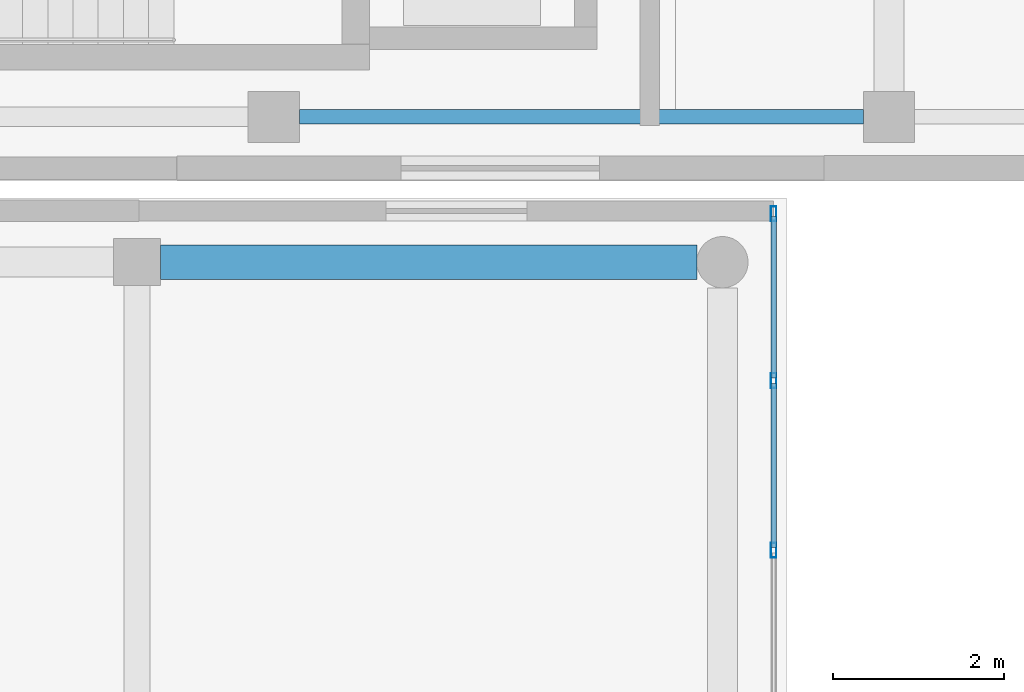
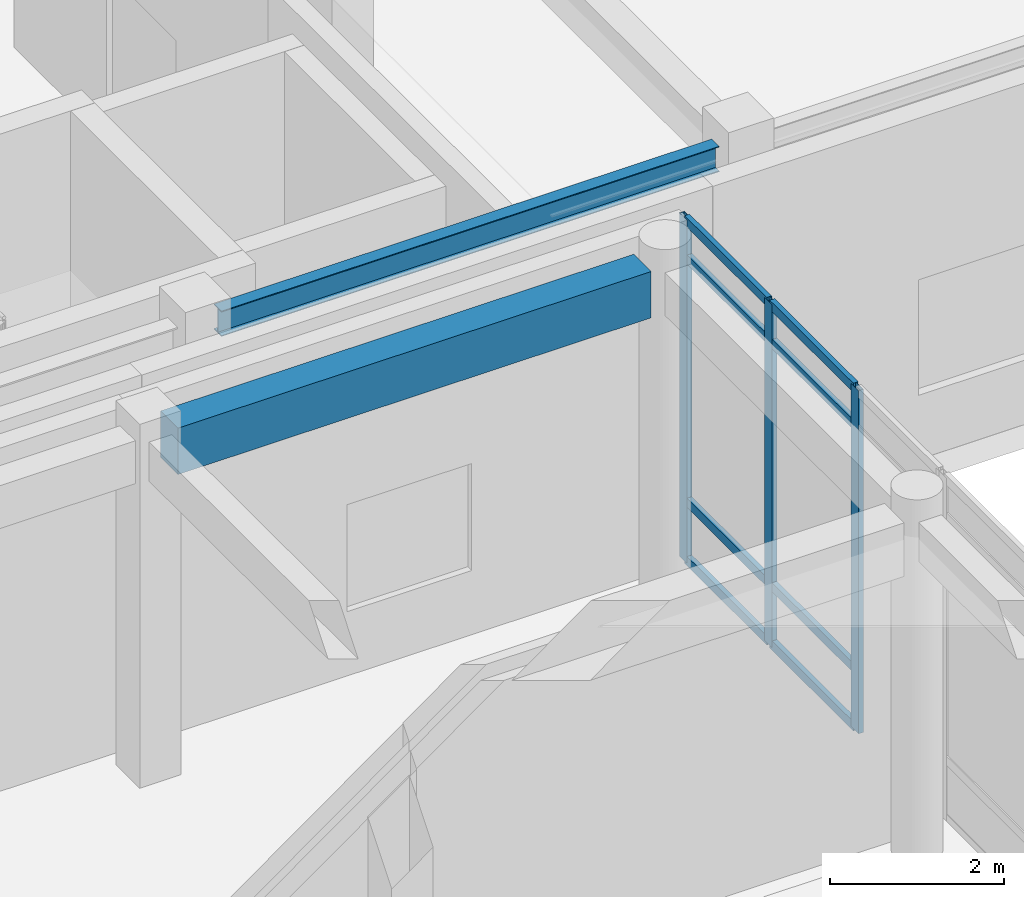
# One storey, part 42 of 121: 11 members, 2 beams, 1 element without a shape of its own.
"""IFC4 building model written with IfcOpenShell, lengths in metres."""

from ifc_helpers import new_model, si_unit, direction, frame, origin, origin_2d, place, context, subcontext, project, spatial, rectangle, hollow_rectangle, i_section, extrude, material, layer, layer_set, material_profile, profile_set, type_object, element, aggregate, save


model = new_model("IFC4")

# Units and contexts
model_context = context("Model", 3, precision=1e-05, world=origin(), true_north=direction((0.0, 1.0)))
body_context = subcontext(model_context, "Body", "Model", "MODEL_VIEW")
ifc_project = project(units=[si_unit("LENGTHUNIT", "METRE"), si_unit("AREAUNIT", "SQUARE_METRE"), si_unit("VOLUMEUNIT", "CUBIC_METRE"), si_unit("PLANEANGLEUNIT", "RADIAN"), si_unit("MASSUNIT", "GRAM", prefix="KILO")], contexts=[model_context])

# Site, building, storey
site_placement = place(None, origin())
site = spatial("IfcSite", under=ifc_project, at=site_placement, CompositionType="ELEMENT")
building_placement = place(site_placement, origin())
building = spatial("IfcBuilding", under=site, at=building_placement, Name="Valcora Specialist Clinic", CompositionType="ELEMENT")
storey_placement = place(building_placement, origin())
storey = spatial("IfcBuildingStorey", under=building, at=storey_placement, Name="L00", CompositionType="ELEMENT", Elevation=0.0)

# Beams
ifc_material_1 = material(Name="Steel ASTM A992 Grade 50", Category="steel")
ifc_material_profile_1 = material_profile(ifc_material_1, i_section(OverallWidth=0.1708984375, OverallDepth=0.35595703125, WebThickness=0.008056640625, FlangeThickness=0.011962890625, at=origin_2d()), Name="ST-IR-360X170")
ifc_profile_set_1 = profile_set([ifc_material_profile_1], Name="Steel ASTM A992 Grade 50")
beam_type_1 = type_object("IfcBeamType", Name="TY-BM-IR360", PredefinedType="BEAM", material=ifc_profile_set_1)
beam_1_placement = place(storey_placement, frame((24.300048828125, 80.949951171875, 4.60302734375), z_axis=(1.0, 0.0, 0.0), x_axis=(0.0, 1.0, 0.0)))
element("IfcBeam", 1, at=beam_1_placement, inside=storey, type_object=beam_type_1, Name="Beam BM-L00-0244", PredefinedType="BEAM", context=body_context, shape_type="SweptSolid", body=[
    extrude(i_section(OverallWidth=0.1708984375, OverallDepth=0.35595703125, WebThickness=0.008056640625, FlangeThickness=0.011962890625, at=origin_2d()), origin(), (0.0, 0.0, 1.0), 6.599853515625),
])
ifc_material_2 = material(Name="Concrete C40/50", Category="concrete")
ifc_material_profile_2 = material_profile(ifc_material_2, rectangle(XDim=0.39990234375, YDim=0.64990234375, at=origin_2d()), Name="RC-BM-400X650")
ifc_profile_set_2 = profile_set([ifc_material_profile_2], Name="Concrete C40/50")
beam_type_2 = type_object("IfcBeamType", Name="TY-BM-RC400X650", PredefinedType="BEAM", material=ifc_profile_set_2)
beam_2_placement = place(storey_placement, frame((22.675048828125, 79.25, 4.485107421875), z_axis=(1.0, 0.0, 0.0), x_axis=(0.0, 1.0, 0.0)))
element("IfcBeam", 2, at=beam_2_placement, inside=storey, type_object=beam_type_2, Name="Beam BM-L00-0099", PredefinedType="BEAM", context=body_context, shape_type="SweptSolid", body=[
    extrude(rectangle(XDim=0.39990234375, YDim=0.64990234375, at=origin_2d()), origin(), (0.0, 0.0, 1.0), 6.27490234375),
])

# Curtain wall, members
ifc_material_3 = material(Name="Anodized Bronze Aluminium 6063-T6", Category="aluminium")
ifc_layer = layer(ifc_material_3, 0.175048828125)
ifc_layer_set = layer_set([ifc_layer], Name="Anodized Bronze Aluminium 6063-T6")
curtain_wall_type = type_object("IfcCurtainWallType", Name="TY-CW-HAL18", PredefinedType="NOTDEFINED", material=ifc_layer_set)
curtain_wall_placement = place(storey_placement, origin())
curtain_wall = element("IfcCurtainWall", 3, at=curtain_wall_placement, inside=storey, type_object=curtain_wall_type, Name="Curtain wall CW-L00-001", PredefinedType="NOTDEFINED")
ifc_material_profile_3 = material_profile(ifc_material_3, hollow_rectangle(XDim=0.06494140625, YDim=0.175048828125, WallThickness=0.00390625, at=origin_2d()), Name="AL-MUL-65X175")
ifc_profile_set_3 = profile_set([ifc_material_profile_3], Name="Anodized Bronze Aluminium 6063-T6")
member_type_1 = type_object("IfcMemberType", Name="TY-CWM-65X175", PredefinedType="MULLION", material=ifc_profile_set_3)
member_1_placement = place(storey_placement, frame((29.85009765625, 79.8173828125, 0.0), z_axis=(0.0, 0.0, 1.0), x_axis=(1.0, 0.0, 0.0)))
member_1 = element("IfcMember", 4, at=member_1_placement, type_object=member_type_1, Name="CW-HAL-18 mullion 1", PredefinedType="MULLION", context=body_context, shape_type="SweptSolid", body=[
    extrude(hollow_rectangle(XDim=0.06494140625, YDim=0.175048828125, WallThickness=0.00390625, at=origin_2d()), origin(), (0.0, 0.0, 1.0), 4.81005859375),
])
member_2_placement = place(storey_placement, frame((29.85009765625, 77.8642578125, 0.0), z_axis=(0.0, 0.0, 1.0), x_axis=(1.0, 0.0, 0.0)))
member_2 = element("IfcMember", 5, at=member_2_placement, type_object=member_type_1, Name="CW-HAL-18 mullion 2", PredefinedType="MULLION", context=body_context, shape_type="SweptSolid", body=[
    extrude(hollow_rectangle(XDim=0.06494140625, YDim=0.175048828125, WallThickness=0.00390625, at=origin_2d()), origin(), (0.0, 0.0, 1.0), 4.81005859375),
])
member_3_placement = place(storey_placement, frame((29.85009765625, 75.878662109375, 0.0), z_axis=(0.0, 0.0, 1.0), x_axis=(1.0, 0.0, 0.0)))
member_3 = element("IfcMember", 6, at=member_3_placement, type_object=member_type_1, Name="CW-HAL-18 mullion 3", PredefinedType="MULLION", context=body_context, shape_type="SweptSolid", body=[
    extrude(hollow_rectangle(XDim=0.06494140625, YDim=0.175048828125, WallThickness=0.00390625, at=origin_2d()), origin(), (0.0, 0.0, 1.0), 4.81005859375),
])
ifc_material_profile_4 = material_profile(ifc_material_3, hollow_rectangle(XDim=0.06494140625, YDim=0.1298828125, WallThickness=0.00390625, at=origin_2d()), Name="AL-TRN-65X130")
ifc_profile_set_4 = profile_set([ifc_material_profile_4], Name="Anodized Bronze Aluminium 6063-T6")
member_type_2 = type_object("IfcMemberType", Name="TY-CWT-65X130", PredefinedType="USERDEFINED", material=ifc_profile_set_4)
member_4_placement = place(storey_placement, frame((29.85009765625, 79.784912109375, 0.032470703125), z_axis=(0.0, -1.0, 0.0), x_axis=(1.0, 0.0, 0.0)))
member_4 = element("IfcMember", 7, at=member_4_placement, type_object=member_type_2, Name="CW-HAL-18 transom 1.1", ObjectType="TRANSOM", PredefinedType="USERDEFINED", context=body_context, shape_type="SweptSolid", body=[
    extrude(hollow_rectangle(XDim=0.06494140625, YDim=0.1298828125, WallThickness=0.00390625, at=origin_2d()), origin(), (0.0, 0.0, 1.0), 1.88818359375),
])
member_5_placement = place(storey_placement, frame((29.85009765625, 79.784912109375, 0.85009765625), z_axis=(0.0, -1.0, 0.0), x_axis=(1.0, 0.0, 0.0)))
member_5 = element("IfcMember", 8, at=member_5_placement, type_object=member_type_2, Name="CW-HAL-18 transom 1.2", ObjectType="TRANSOM", PredefinedType="USERDEFINED", context=body_context, shape_type="SweptSolid", body=[
    extrude(hollow_rectangle(XDim=0.06494140625, YDim=0.1298828125, WallThickness=0.00390625, at=origin_2d()), origin(), (0.0, 0.0, 1.0), 1.88818359375),
])
member_6_placement = place(storey_placement, frame((29.85009765625, 79.784912109375, 4.260009765625), z_axis=(0.0, -1.0, 0.0), x_axis=(1.0, 0.0, 0.0)))
member_6 = element("IfcMember", 9, at=member_6_placement, type_object=member_type_2, Name="CW-HAL-18 transom 1.3", ObjectType="TRANSOM", PredefinedType="USERDEFINED", context=body_context, shape_type="SweptSolid", body=[
    extrude(hollow_rectangle(XDim=0.06494140625, YDim=0.1298828125, WallThickness=0.00390625, at=origin_2d()), origin(), (0.0, 0.0, 1.0), 1.88818359375),
])
member_7_placement = place(storey_placement, frame((29.85009765625, 79.784912109375, 4.777587890625), z_axis=(0.0, -1.0, 0.0), x_axis=(1.0, 0.0, 0.0)))
member_7 = element("IfcMember", 10, at=member_7_placement, type_object=member_type_2, Name="CW-HAL-18 transom 1.4", ObjectType="TRANSOM", PredefinedType="USERDEFINED", context=body_context, shape_type="SweptSolid", body=[
    extrude(hollow_rectangle(XDim=0.06494140625, YDim=0.1298828125, WallThickness=0.00390625, at=origin_2d()), origin(), (0.0, 0.0, 1.0), 1.88818359375),
])
member_8_placement = place(storey_placement, frame((29.85009765625, 77.831787109375, 0.032470703125), z_axis=(0.0, -1.0, 0.0), x_axis=(1.0, 0.0, 0.0)))
member_8 = element("IfcMember", 11, at=member_8_placement, type_object=member_type_2, Name="CW-HAL-18 transom 2.1", ObjectType="TRANSOM", PredefinedType="USERDEFINED", context=body_context, shape_type="SweptSolid", body=[
    extrude(hollow_rectangle(XDim=0.06494140625, YDim=0.1298828125, WallThickness=0.00390625, at=origin_2d()), origin(), (0.0, 0.0, 1.0), 1.920654296875),
])
member_9_placement = place(storey_placement, frame((29.85009765625, 77.831787109375, 0.85009765625), z_axis=(0.0, -1.0, 0.0), x_axis=(1.0, 0.0, 0.0)))
member_9 = element("IfcMember", 12, at=member_9_placement, type_object=member_type_2, Name="CW-HAL-18 transom 2.2", ObjectType="TRANSOM", PredefinedType="USERDEFINED", context=body_context, shape_type="SweptSolid", body=[
    extrude(hollow_rectangle(XDim=0.06494140625, YDim=0.1298828125, WallThickness=0.00390625, at=origin_2d()), origin(), (0.0, 0.0, 1.0), 1.920654296875),
])
member_10_placement = place(storey_placement, frame((29.85009765625, 77.831787109375, 4.260009765625), z_axis=(0.0, -1.0, 0.0), x_axis=(1.0, 0.0, 0.0)))
member_10 = element("IfcMember", 13, at=member_10_placement, type_object=member_type_2, Name="CW-HAL-18 transom 2.3", ObjectType="TRANSOM", PredefinedType="USERDEFINED", context=body_context, shape_type="SweptSolid", body=[
    extrude(hollow_rectangle(XDim=0.06494140625, YDim=0.1298828125, WallThickness=0.00390625, at=origin_2d()), origin(), (0.0, 0.0, 1.0), 1.920654296875),
])
member_11_placement = place(storey_placement, frame((29.85009765625, 77.831787109375, 4.777587890625), z_axis=(0.0, -1.0, 0.0), x_axis=(1.0, 0.0, 0.0)))
member_11 = element("IfcMember", 14, at=member_11_placement, type_object=member_type_2, Name="CW-HAL-18 transom 2.4", ObjectType="TRANSOM", PredefinedType="USERDEFINED", context=body_context, shape_type="SweptSolid", body=[
    extrude(hollow_rectangle(XDim=0.06494140625, YDim=0.1298828125, WallThickness=0.00390625, at=origin_2d()), origin(), (0.0, 0.0, 1.0), 1.920654296875),
])
aggregate(curtain_wall, [member_1, member_2, member_3, member_4, member_5, member_6, member_7, member_8, member_9, member_10, member_11])

save(model, "model.ifc")
